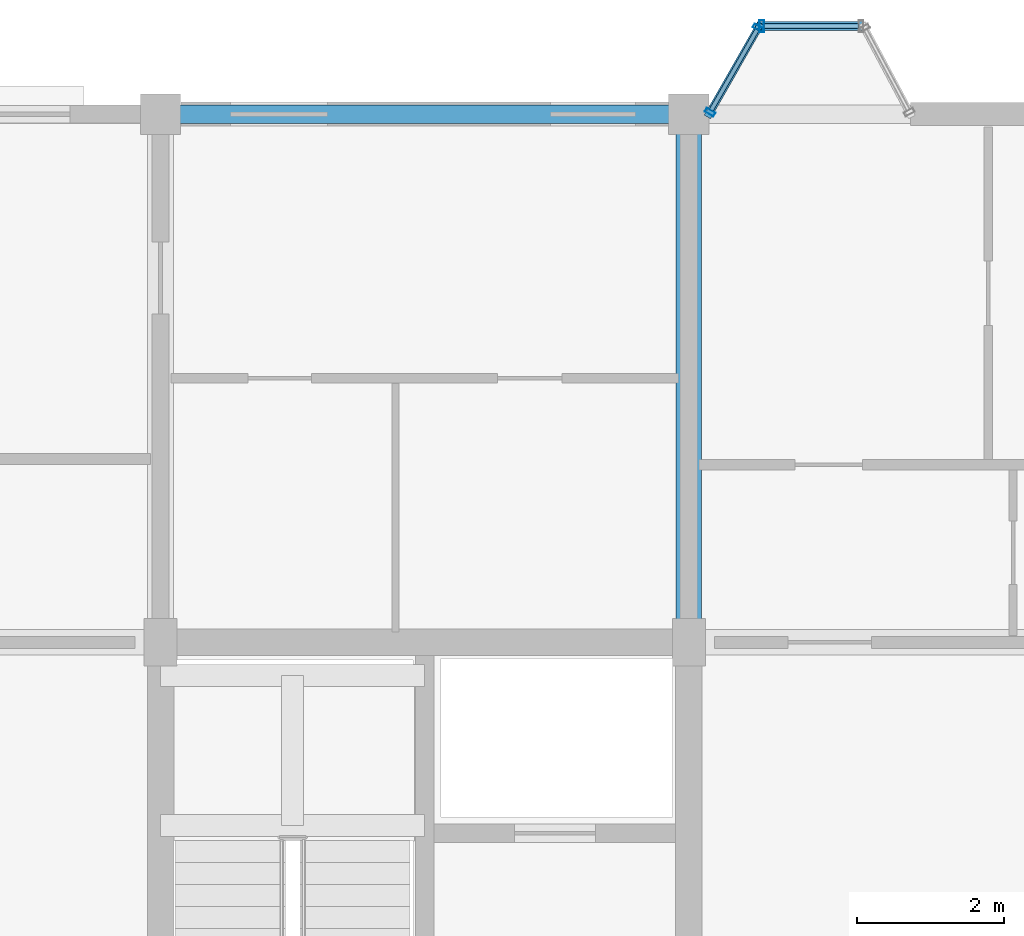
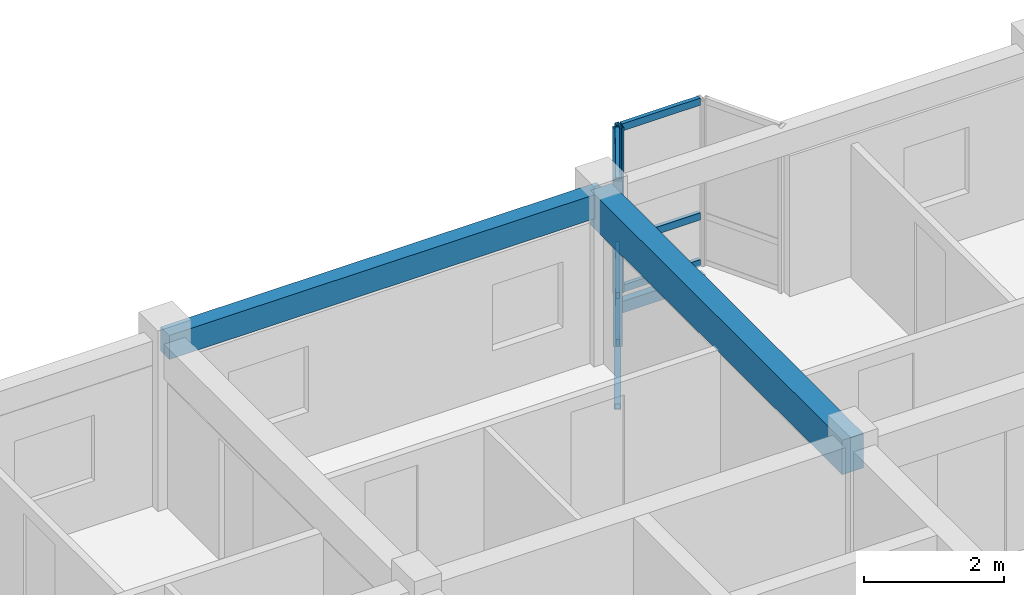
# One storey, part 43 of 77: 11 members, 2 beams, 2 elements without a shape of their own.
"""IFC4 building model written with IfcOpenShell, lengths in metres."""

import ifcopenshell
import ifcopenshell.guid

model = None  # the IFC model being written
_history = None  # IfcOwnerHistory: only IFC2X3 demands one
_inside = {}  # id of a spatial element -> (the spatial element, [elements in it])
_under = {}  # id of a project, library or spatial element -> (it, [spatial elements below it])
_declared = {}  # id of a project -> (the project, [libraries it declares])
_typed = {}  # id of a type object -> (the type object, [elements of that type])
_made_of = {}  # id of a material, layer set ... -> (it, [elements and type objects made of it])


def new_model(schema):
    """Start an empty IFC model of exactly this schema.

    Asked for "IFC4X3", IfcOpenShell would pick the latest addendum, in which some entities
    have other attributes; the version numbers below select the first issue.
    IFC2X3 requires an IfcOwnerHistory on every rooted entity: one is made here for all.
    """
    global model, _history
    if schema == "IFC4X3":
        model = ifcopenshell.file(schema_version=(4, 3, 0, 0))
    else:
        model = ifcopenshell.file(schema=schema)
    _inside.clear()
    _under.clear()
    _declared.clear()
    _typed.clear()
    _made_of.clear()
    _history = None
    if model.schema == "IFC2X3":
        org = make("IfcOrganization", Name="unknown")
        user = make(
            "IfcPersonAndOrganization",
            ThePerson=make("IfcPerson", FamilyName="unknown"),
            TheOrganization=org,
        )
        app = make(
            "IfcApplication",
            ApplicationDeveloper=org,
            Version="unknown",
            ApplicationFullName="unknown",
            ApplicationIdentifier="unknown",
        )
        _history = make(
            "IfcOwnerHistory",
            OwningUser=user,
            OwningApplication=app,
            ChangeAction="ADDED",
            CreationDate=0,
        )
    return model


def make(cls, **values):
    """One entity of the class cls with the attributes given. An attribute that is None is left unset."""
    return model.create_entity(
        cls, **{name: value for name, value in values.items() if value is not None}
    )


def rooted(cls, **values):
    """An entity with a GlobalId (a new one), such as an element, a storey or a relation."""
    return make(cls, GlobalId=ifcopenshell.guid.new(), OwnerHistory=_history, **values)


def si_unit(unit_type, name, prefix=None):
    """IfcSIUnit, for example si_unit("LENGTHUNIT", "METRE", prefix="MILLI")."""
    return make("IfcSIUnit", UnitType=unit_type, Prefix=prefix, Name=name)


def assignment(units):
    """IfcUnitAssignment: the units of a project."""
    return None if units is None else make("IfcUnitAssignment", Units=units)


def point(xyz):
    """IfcCartesianPoint."""
    return None if xyz is None else make("IfcCartesianPoint", Coordinates=xyz)


def direction(xyz):
    """IfcDirection."""
    return None if xyz is None else make("IfcDirection", DirectionRatios=xyz)


def frame(location, z_axis=None, x_axis=None):
    """IfcAxis2Placement3D, a coordinate frame: its origin and axes. An axis left out is left unset."""
    return make(
        "IfcAxis2Placement3D",
        Location=point(location),
        Axis=direction(z_axis),
        RefDirection=direction(x_axis),
    )


def frame_2d(location, x_axis=None):
    """IfcAxis2Placement2D, a coordinate frame in the plane: its origin and x axis."""
    return make(
        "IfcAxis2Placement2D", Location=point(location), RefDirection=direction(x_axis)
    )


def origin():
    """The frame at (0, 0, 0) with its axes left unset."""
    return frame((0.0, 0.0, 0.0))


def origin_2d():
    """The frame at (0, 0) in the plane with its x axis left unset."""
    return frame_2d((0.0, 0.0))


def place(relative_to, where):
    """IfcLocalPlacement: puts the frame where relative to a parent placement (None: the world)."""
    return make(
        "IfcLocalPlacement", PlacementRelTo=relative_to, RelativePlacement=where
    )


def context(
    kind, dimensions, precision=None, world=None, true_north=None, identifier=None
):
    """IfcGeometricRepresentationContext, for example the 3D "Model" context."""
    return make(
        "IfcGeometricRepresentationContext",
        ContextIdentifier=identifier,
        ContextType=kind,
        CoordinateSpaceDimension=dimensions,
        Precision=precision,
        WorldCoordinateSystem=world,
        TrueNorth=true_north,
    )


def subcontext(parent, identifier, kind, view, scale=None):
    """IfcGeometricRepresentationSubContext, for example "Body" below "Model"."""
    return make(
        "IfcGeometricRepresentationSubContext",
        ContextIdentifier=identifier,
        ContextType=kind,
        ParentContext=parent,
        TargetScale=scale,
        TargetView=view,
    )


def project(units=None, contexts=None):
    """IfcProject with its units and contexts."""
    return rooted(
        "IfcProject",
        Name="project",
        RepresentationContexts=contexts,
        UnitsInContext=assignment(units),
    )


def spatial(cls, under=None, at=None, **own):
    """A site, building, storey or space (cls), placed at a placement, below another one or the project."""
    s = rooted(cls, ObjectPlacement=at, **own)
    if under is not None:
        _under.setdefault(under.id(), (under, []))[1].append(s)
    return s


def profile(cls, at=None, kind="AREA", **sizes):
    """A parametric profile (cls). Its sizes go by their IFC names, for example OverallWidth=200.0."""
    return make(cls, ProfileType=kind, Position=at, **sizes)


def rectangle(**sizes):
    """IfcRectangleProfileDef."""
    return profile("IfcRectangleProfileDef", **sizes)


def hollow_rectangle(**sizes):
    """IfcRectangleHollowProfileDef."""
    return profile("IfcRectangleHollowProfileDef", **sizes)


def extrude(swept, where, along, depth):
    """IfcExtrudedAreaSolid: the profile swept, set in the frame where, extruded along a direction by depth."""
    return make(
        "IfcExtrudedAreaSolid",
        SweptArea=swept,
        Position=where,
        ExtrudedDirection=direction(along),
        Depth=depth,
    )


def shape(context_of_items, identifier, shape_type, items):
    """IfcShapeRepresentation: the items that make up one representation, for example the "Body"."""
    return make(
        "IfcShapeRepresentation",
        ContextOfItems=context_of_items,
        RepresentationIdentifier=identifier,
        RepresentationType=shape_type,
        Items=items,
    )


def material(Name=None, Category=None):
    """IfcMaterial."""
    return make("IfcMaterial", Name=Name, Category=Category)


def layer(
    of_material, thickness, ventilated=None, Name=None, Category=None, Priority=None
):
    """IfcMaterialLayer: one layer of a wall or slab, of a material (None: an air gap)."""
    return make(
        "IfcMaterialLayer",
        Material=of_material,
        LayerThickness=thickness,
        IsVentilated=ventilated,
        Name=Name,
        Category=Category,
        Priority=Priority,
    )


def layer_set(layers, Name=None):
    """IfcMaterialLayerSet."""
    return make("IfcMaterialLayerSet", MaterialLayers=layers, LayerSetName=Name)


def material_profile(
    of_material, cross_section, Name=None, Category=None, Priority=None
):
    """IfcMaterialProfile: a cross section and its material."""
    return make(
        "IfcMaterialProfile",
        Name=Name,
        Material=of_material,
        Profile=cross_section,
        Priority=Priority,
        Category=Category,
    )


def profile_set(profiles, Name=None, composite=None):
    """IfcMaterialProfileSet."""
    return make(
        "IfcMaterialProfileSet",
        Name=Name,
        MaterialProfiles=profiles,
        CompositeProfile=composite,
    )


def made_of(thing, what):
    """Note that an element or type object is made of a material, layer set ...; save() writes the relation."""
    if what is not None:
        _made_of.setdefault(what.id(), (what, []))[1].append(thing)
    return thing


def type_object(cls, material=None, **own):
    """A type object (cls), such as IfcWallType, which elements share."""
    return made_of(rooted(cls, **own), material)


def element(
    cls,
    number,
    at=None,
    inside=None,
    cuts=None,
    type_object=None,
    material=None,
    context=None,
    identifier="Body",
    shape_type=None,
    held_by="IfcProductDefinitionShape",
    body=None,
    shapes=None,
    **own,
):
    """One element of the class cls, such as IfcWall. Its Tag is "e" and its number.

    at: its placement. inside: the storey or other place that contains it. cuts: it is an
    opening in that element (IfcRelVoidsElement). A single representation is given by context,
    identifier, shape_type and body (its items); several are given by shapes. held_by: the class
    of the entity that holds the representations. save() writes the other relations.
    """
    e = rooted(cls, Tag="e%d" % number, ObjectPlacement=at, **own)
    if body is not None:
        shapes = [shape(context, identifier, shape_type, body)]
    if shapes is not None:
        e.Representation = make(held_by, Representations=shapes)
    if inside is not None:
        _inside.setdefault(inside.id(), (inside, []))[1].append(e)
    if cuts is not None:
        rooted(
            "IfcRelVoidsElement", RelatingBuildingElement=cuts, RelatedOpeningElement=e
        )
    if type_object is not None:
        _typed.setdefault(type_object.id(), (type_object, []))[1].append(e)
    return made_of(e, material)


def aggregate(whole, parts):
    """IfcRelAggregates: a whole, such as a stair, and the parts it consists of."""
    return rooted("IfcRelAggregates", RelatingObject=whole, RelatedObjects=parts)


def save(model, path):
    """Write the relations noted so far, then the file.

    IfcRelAggregates (storeys below a building ...), IfcRelContainedInSpatialStructure (elements
    in a storey), IfcRelDefinesByType, IfcRelAssociatesMaterial and IfcRelDeclares: one each for
    every whole, place, type object, material and project.
    """
    for whole, parts in _under.values():
        aggregate(whole, parts)
    for where, things in _inside.values():
        rooted(
            "IfcRelContainedInSpatialStructure",
            RelatedElements=things,
            RelatingStructure=where,
        )
    for kind, things in _typed.values():
        rooted("IfcRelDefinesByType", RelatedObjects=things, RelatingType=kind)
    for what, things in _made_of.values():
        rooted("IfcRelAssociatesMaterial", RelatedObjects=things, RelatingMaterial=what)
    for by, libraries in _declared.values():
        rooted("IfcRelDeclares", RelatingContext=by, RelatedDefinitions=libraries)
    model.write(path)


model = new_model("IFC4")

# Units and contexts
model_context = context("Model", 3, precision=1e-05, world=origin(), true_north=direction((0.0, 1.0)))
body_context = subcontext(model_context, "Body", "Model", "MODEL_VIEW")
ifc_project = project(units=[si_unit("LENGTHUNIT", "METRE"), si_unit("AREAUNIT", "SQUARE_METRE"), si_unit("VOLUMEUNIT", "CUBIC_METRE"), si_unit("PLANEANGLEUNIT", "RADIAN"), si_unit("MASSUNIT", "GRAM", prefix="KILO"), si_unit("THERMODYNAMICTEMPERATUREUNIT", "KELVIN"), si_unit("POWERUNIT", "WATT")], contexts=[model_context])

# Site, building, storey
site_placement = place(None, origin())
site = spatial("IfcSite", under=ifc_project, at=site_placement, CompositionType="ELEMENT")
building_placement = place(site_placement, origin())
building = spatial("IfcBuilding", under=site, at=building_placement, Name="Tavuni Mirador Residences", CompositionType="ELEMENT")
storey_placement = place(building_placement, frame((0.0, 0.0, 17.10009765625)))
storey = spatial("IfcBuildingStorey", under=building, at=storey_placement, Name="L05", CompositionType="ELEMENT", Elevation=17.10009765625)

# Beams
ifc_material_1 = material(Name="Precast concrete C40/50", Category="concrete")
ifc_material_profile_1 = material_profile(ifc_material_1, rectangle(XDim=0.35009765625, YDim=0.60009765625, at=origin_2d()), Name="PC 350x600", Category="concrete")
ifc_profile_set_1 = profile_set([ifc_material_profile_1], Name="Precast concrete C40/50")
beam_type_1 = type_object("IfcBeamType", Name="BT-B600", PredefinedType="BEAM", material=ifc_profile_set_1)
beam_1_placement = place(storey_placement, frame((32.39990234375, 165.60009765625, 2.5849609375), z_axis=(0.0, 1.0, 0.0), x_axis=(-1.0, 0.0, 0.0)))
element("IfcBeam", 1, at=beam_1_placement, inside=storey, type_object=beam_type_1, Name="BMY-BLK-C-L05-03-03", PredefinedType="BEAM", context=body_context, shape_type="SweptSolid", body=[
    extrude(rectangle(XDim=0.35009765625, YDim=0.60009765625, at=origin_2d()), origin(), (0.0, 0.0, 1.0), 7.199951171875),
])
ifc_material_profile_2 = material_profile(ifc_material_1, rectangle(XDim=0.25, YDim=0.419921875, at=origin_2d()), Name="PC 250x420", Category="concrete")
ifc_profile_set_2 = profile_set([ifc_material_profile_2], Name="Precast concrete C40/50")
beam_type_2 = type_object("IfcBeamType", Name="BT-SP420", PredefinedType="SPANDREL", material=ifc_profile_set_2)
beam_2_placement = place(storey_placement, frame((25.199951171875, 172.800048828125, 2.6748046875), z_axis=(1.0, 0.0, 0.0), x_axis=(0.0, 1.0, 0.0)))
element("IfcBeam", 2, at=beam_2_placement, inside=storey, type_object=beam_type_2, Name="BMX-BLK-C-L05-02-04", PredefinedType="SPANDREL", context=body_context, shape_type="SweptSolid", body=[
    extrude(rectangle(XDim=0.25, YDim=0.419921875, at=origin_2d()), origin(), (0.0, 0.0, 1.0), 7.199951171875),
])

# Curtain wall, members
ifc_material_2 = material(Name="Anodised aluminium", Category="aluminium")
ifc_layer_1 = layer(ifc_material_2, 0.1650390625, Name="Anodised aluminium", Category="aluminium")
ifc_layer_set_1 = layer_set([ifc_layer_1], Name="Anodised aluminium")
curtain_wall_type_1 = type_object("IfcCurtainWallType", Name="CWT-MIR-A", PredefinedType="NOTDEFINED", material=ifc_layer_set_1)
curtain_wall_1_placement = place(storey_placement, origin())
curtain_wall_1 = element("IfcCurtainWall", 3, at=curtain_wall_1_placement, inside=storey, type_object=curtain_wall_type_1, Name="CW-MIR-C-N2-L05-M2", PredefinedType="NOTDEFINED")
ifc_material_profile_3 = material_profile(ifc_material_2, hollow_rectangle(XDim=0.06005859375, YDim=0.139892578125, WallThickness=0.00390625, at=origin_2d()), Name="ALU 60x140x4.0", Category="aluminium")
ifc_profile_set_3 = profile_set([ifc_material_profile_3], Name="Anodised aluminium")
member_type_1 = type_object("IfcMemberType", Name="CWM-140", PredefinedType="MULLION", material=ifc_profile_set_3)
member_1_placement = place(storey_placement, frame((33.34521484375, 173.973876953125, 0.0), z_axis=(0.0, 0.0, 1.0), x_axis=(-0.495749192217, -0.868465738194, 0.0)))
member_1 = element("IfcMember", 4, at=member_1_placement, type_object=member_type_1, Name="CW-01 mullion 1", PredefinedType="MULLION", context=body_context, shape_type="SweptSolid", body=[
    extrude(hollow_rectangle(XDim=0.06005859375, YDim=0.139892578125, WallThickness=0.00390625, at=origin_2d()), origin(), (0.0, 0.0, 1.0), 2.885009765625),
])
member_2_placement = place(storey_placement, frame((32.68994140625, 172.826171875, 0.0), z_axis=(0.0, 0.0, 1.0), x_axis=(-0.495749192217, -0.868465738194, 0.0)))
member_2 = element("IfcMember", 5, at=member_2_placement, type_object=member_type_1, Name="CW-01 mullion 2", PredefinedType="MULLION", context=body_context, shape_type="SweptSolid", body=[
    extrude(hollow_rectangle(XDim=0.06005859375, YDim=0.139892578125, WallThickness=0.00390625, at=origin_2d()), origin(), (0.0, 0.0, 1.0), 2.885009765625),
])

# Curtain wall, member
ifc_layer_2 = layer(ifc_material_2, 0.159912109375, Name="Anodised aluminium", Category="aluminium")
ifc_layer_set_2 = layer_set([ifc_layer_2], Name="Anodised aluminium")
curtain_wall_type_2 = type_object("IfcCurtainWallType", Name="CWT-MIR-D", PredefinedType="NOTDEFINED", material=ifc_layer_set_2)
curtain_wall_2_placement = place(storey_placement, origin())
curtain_wall_2 = element("IfcCurtainWall", 6, at=curtain_wall_2_placement, inside=storey, type_object=curtain_wall_type_2, Name="CW-MIR-C-N2-L05-MF", PredefinedType="NOTDEFINED")
ifc_material_profile_4 = material_profile(ifc_material_2, hollow_rectangle(XDim=0.06494140625, YDim=0.1650390625, WallThickness=0.00439453125, at=origin_2d()), Name="ALU 65x165x4.5", Category="aluminium")
ifc_profile_set_4 = profile_set([ifc_material_profile_4], Name="Anodised aluminium")
member_type_2 = type_object("IfcMemberType", Name="CWM-165", PredefinedType="MULLION", material=ifc_profile_set_4)
member_3_placement = place(storey_placement, frame((33.392578125, 174.0, 0.0), z_axis=(0.0, 0.0, 1.0), x_axis=(-1.0, 0.0, 0.0)))
member_3 = element("IfcMember", 7, at=member_3_placement, type_object=member_type_2, Name="CW-04 mullion 2", PredefinedType="MULLION", context=body_context, shape_type="SweptSolid", body=[
    extrude(hollow_rectangle(XDim=0.06494140625, YDim=0.1650390625, WallThickness=0.00439453125, at=origin_2d()), origin(), (0.0, 0.0, 1.0), 2.885009765625),
])

# Member
ifc_material_profile_5 = material_profile(ifc_material_2, hollow_rectangle(XDim=0.06005859375, YDim=0.110107421875, WallThickness=0.00390625, at=origin_2d()), Name="ALU 60x110x4.0", Category="aluminium")
ifc_profile_set_5 = profile_set([ifc_material_profile_5], Name="Anodised aluminium")
member_type_3 = type_object("IfcMemberType", Name="CWT-110", PredefinedType="USERDEFINED", material=ifc_profile_set_5)
member_4_placement = place(storey_placement, frame((33.330322265625, 173.947998046875, 0.02978515625), z_axis=(-0.49568048457, -0.868504955205, 0.0), x_axis=(0.868504955205, -0.49568048457, 0.0)))
member_4 = element("IfcMember", 8, at=member_4_placement, type_object=member_type_3, Name="CW-01 transom 1.1", ObjectType="TRANSOM", PredefinedType="USERDEFINED", context=body_context, shape_type="SweptSolid", body=[
    extrude(hollow_rectangle(XDim=0.06005859375, YDim=0.110107421875, WallThickness=0.00390625, at=origin_2d()), origin(), (0.0, 0.0, 1.0), 1.261962890625),
])

member_5_placement = place(storey_placement, frame((33.330322265625, 173.947998046875, 0.849853515625), z_axis=(-0.49568048457, -0.868504955205, 0.0), x_axis=(0.868504955205, -0.49568048457, 0.0)))
member_5 = element("IfcMember", 9, at=member_5_placement, type_object=member_type_3, Name="CW-01 transom 1.2", ObjectType="TRANSOM", PredefinedType="USERDEFINED", context=body_context, shape_type="SweptSolid", body=[
    extrude(hollow_rectangle(XDim=0.06005859375, YDim=0.110107421875, WallThickness=0.00390625, at=origin_2d()), origin(), (0.0, 0.0, 1.0), 1.261962890625),
])

member_6_placement = place(storey_placement, frame((33.330322265625, 173.947998046875, 2.85498046875), z_axis=(-0.49568048457, -0.868504955205, 0.0), x_axis=(0.868504955205, -0.49568048457, 0.0)))
member_6 = element("IfcMember", 10, at=member_6_placement, type_object=member_type_3, Name="CW-01 transom 1.3", ObjectType="TRANSOM", PredefinedType="USERDEFINED", context=body_context, shape_type="SweptSolid", body=[
    extrude(hollow_rectangle(XDim=0.06005859375, YDim=0.110107421875, WallThickness=0.00390625, at=origin_2d()), origin(), (0.0, 0.0, 1.0), 1.261962890625),
])

aggregate(curtain_wall_1, [member_1, member_2, member_4, member_5, member_6])

ifc_material_profile_6 = material_profile(ifc_material_2, hollow_rectangle(XDim=0.06494140625, YDim=0.125, WallThickness=0.00439453125, at=origin_2d()), Name="ALU 65x125x4.5", Category="aluminium")
ifc_profile_set_6 = profile_set([ifc_material_profile_6], Name="Anodised aluminium")
member_type_4 = type_object("IfcMemberType", Name="CWT-125", PredefinedType="USERDEFINED", material=ifc_profile_set_6)
member_7_placement = place(storey_placement, frame((34.715087890625, 174.0, 0.032470703125), z_axis=(-1.0, 0.0, 0.0), x_axis=(0.0, -1.0, 0.0)))
member_7 = element("IfcMember", 11, at=member_7_placement, type_object=member_type_4, Name="CW-04 transom 1.1", ObjectType="TRANSOM", PredefinedType="USERDEFINED", context=body_context, shape_type="SweptSolid", body=[
    extrude(hollow_rectangle(XDim=0.06494140625, YDim=0.125, WallThickness=0.00439453125, at=origin_2d()), origin(), (0.0, 0.0, 1.0), 1.2900390625),
])

member_8_placement = place(storey_placement, frame((34.715087890625, 174.0, 0.849853515625), z_axis=(-1.0, 0.0, 0.0), x_axis=(0.0, -1.0, 0.0)))
member_8 = element("IfcMember", 12, at=member_8_placement, type_object=member_type_4, Name="CW-04 transom 1.2", ObjectType="TRANSOM", PredefinedType="USERDEFINED", context=body_context, shape_type="SweptSolid", body=[
    extrude(hollow_rectangle(XDim=0.06494140625, YDim=0.125, WallThickness=0.00439453125, at=origin_2d()), origin(), (0.0, 0.0, 1.0), 1.2900390625),
])

member_9_placement = place(storey_placement, frame((34.715087890625, 174.0, 2.852294921875), z_axis=(-1.0, 0.0, 0.0), x_axis=(0.0, -1.0, 0.0)))
member_9 = element("IfcMember", 13, at=member_9_placement, type_object=member_type_4, Name="CW-04 transom 1.3", ObjectType="TRANSOM", PredefinedType="USERDEFINED", context=body_context, shape_type="SweptSolid", body=[
    extrude(hollow_rectangle(XDim=0.06494140625, YDim=0.125, WallThickness=0.00439453125, at=origin_2d()), origin(), (0.0, 0.0, 1.0), 1.2900390625),
])

aggregate(curtain_wall_2, [member_3, member_7, member_8, member_9])

# Members
ifc_material_3 = material(Name="Structural steel S355", Category="steel")
ifc_material_profile_7 = material_profile(ifc_material_3, hollow_rectangle(XDim=0.10009765625, YDim=0.179931640625, WallThickness=0.008056640625, at=origin_2d()), Name="RHS 180x100x8.0", Category="steel")
ifc_profile_set_7 = profile_set([ifc_material_profile_7], Name="Structural steel S355")
member_type_5 = type_object("IfcMemberType", Name="MT-BR-RHS180", PredefinedType="BRACE", material=ifc_profile_set_7)
member_10_placement = place(storey_placement, frame((32.675048828125, 172.800048828125, -1.050048828125), z_axis=(0.431095380922, 0.755108267011, 0.493931450344), x_axis=(-0.868438794398, 0.495796390047, 0.0)))
element("IfcMember", 14, at=member_10_placement, inside=storey, type_object=member_type_5, Name="MBRK-MIR-C-N2-L05-1", PredefinedType="BRACE", context=body_context, shape_type="SweptSolid", body=[
    extrude(hollow_rectangle(XDim=0.10009765625, YDim=0.179931640625, WallThickness=0.008056640625, at=origin_2d()), origin(), (0.0, 0.0, 1.0), 1.589111328125),
])
ifc_material_profile_8 = material_profile(ifc_material_3, hollow_rectangle(XDim=0.1201171875, YDim=0.199951171875, WallThickness=0.010009765625, at=origin_2d()), Name="RHS 200x120x10.0", Category="steel")
ifc_profile_set_8 = profile_set([ifc_material_profile_8], Name="Structural steel S355")
member_type_6 = type_object("IfcMemberType", Name="MT-ST-RHS200", PredefinedType="STRUT", material=ifc_profile_set_8)
member_11_placement = place(storey_placement, frame((33.360107421875, 174.0, -0.26513671875), z_axis=(1.0, 0.0, 0.0), x_axis=(0.0, 1.0, 0.0)))
element("IfcMember", 15, at=member_11_placement, inside=storey, type_object=member_type_6, Name="MRIM-MIR-C-N2-L05", PredefinedType="STRUT", context=body_context, shape_type="SweptSolid", body=[
    extrude(hollow_rectangle(XDim=0.1201171875, YDim=0.199951171875, WallThickness=0.010009765625, at=origin_2d()), origin(), (0.0, 0.0, 1.0), 1.419921875),
])

save(model, "model.ifc")
